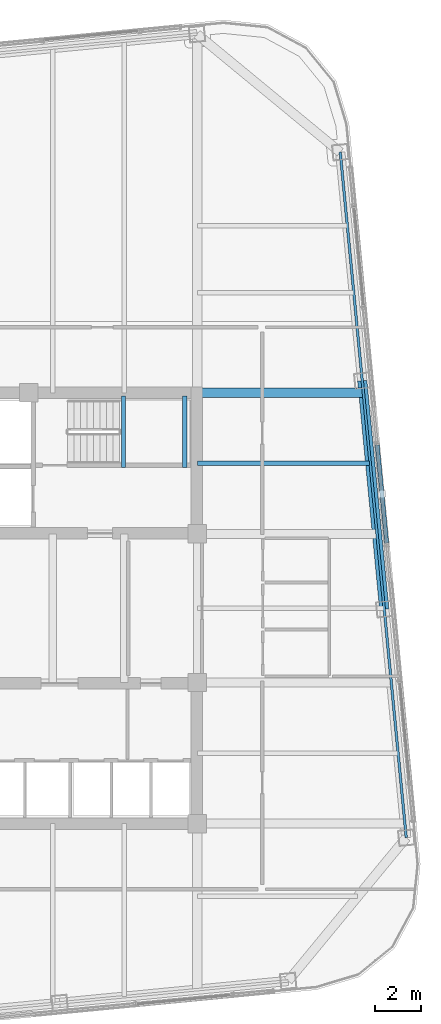
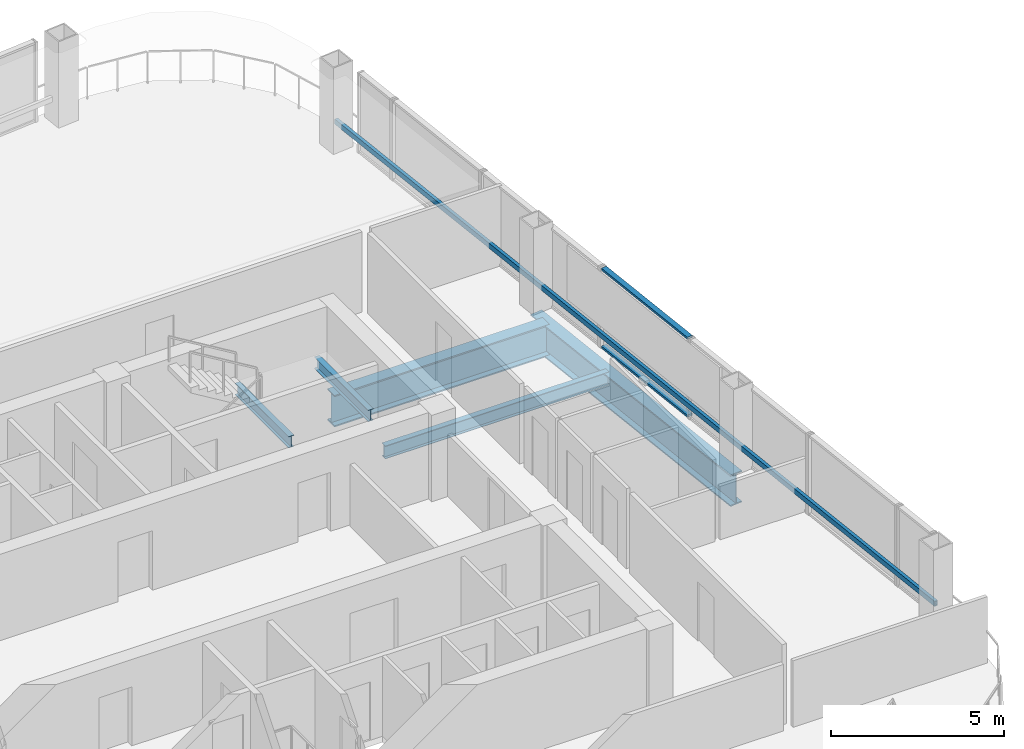
# One storey, part 15 of 28: 5 beams, 3 members, 1 element without a shape of its own.
"""IFC4 building model written with IfcOpenShell, lengths in metres."""

from ifc_helpers import new_model, si_unit, direction, frame, origin, origin_2d, place, context, subcontext, project, spatial, hollow_rectangle, i_section, extrude, material, layer, layer_set, material_profile, profile_set, type_object, element, aggregate, save


model = new_model("IFC4")

# Units and contexts
model_context = context("Model", 3, precision=1e-05, world=origin(), true_north=direction((0.0, 1.0)))
body_context = subcontext(model_context, "Body", "Model", "MODEL_VIEW")
ifc_project = project(units=[si_unit("LENGTHUNIT", "METRE"), si_unit("AREAUNIT", "SQUARE_METRE"), si_unit("VOLUMEUNIT", "CUBIC_METRE"), si_unit("PLANEANGLEUNIT", "RADIAN"), si_unit("MASSUNIT", "GRAM", prefix="KILO")], contexts=[model_context])

# Site, building, storey
site_placement = place(None, origin())
site = spatial("IfcSite", under=ifc_project, at=site_placement, CompositionType="ELEMENT")
building_placement = place(site_placement, origin())
building = spatial("IfcBuilding", under=site, at=building_placement, Name="Qhalaya Broadcast Tower", CompositionType="ELEMENT")
storey_placement = place(building_placement, frame((0.0, 0.0, 159.199951171875)))
storey = spatial("IfcBuildingStorey", under=building, at=storey_placement, Name="L46", CompositionType="ELEMENT", Elevation=159.199951171875)

# Beam
ifc_material_1 = material(Name="Structural Steel ASTM A992 Grade 50", Category="steel")
ifc_material_profile_1 = material_profile(ifc_material_1, i_section(OverallWidth=0.19189453125, OverallDepth=0.462890625, WebThickness=0.010498046875, FlangeThickness=0.017578125, at=origin_2d()), Name="W18X60")
ifc_profile_set_1 = profile_set([ifc_material_profile_1], Name="Structural Steel ASTM A992 Grade 50")
beam_type_1 = type_object("IfcBeamType", Name="Composite Floor Joist J03", PredefinedType="JOIST", material=ifc_profile_set_1)
beam_1_placement = place(storey_placement, frame((9.375, 6.89990234375, -0.451416015625), z_axis=(1.0, 0.0, 0.0), x_axis=(0.0, 1.0, 0.0)))
element("IfcBeam", 1, at=beam_1_placement, inside=storey, type_object=beam_type_1, Name="L46 J03 L46-JWE5E-1", PredefinedType="JOIST", context=body_context, shape_type="SweptSolid", body=[
    extrude(i_section(OverallWidth=0.19189453125, OverallDepth=0.462890625, WebThickness=0.010498046875, FlangeThickness=0.017578125, at=origin_2d()), origin(), (0.0, 0.0, 1.0), 7.48681640625),
])

# Member
ifc_material_2 = material(Name="Fired Architectural Terracotta", Category="masonry")
ifc_material_profile_2 = material_profile(ifc_material_2, hollow_rectangle(XDim=0.110107421875, YDim=0.179931640625, WallThickness=0.01806640625, at=origin_2d()), Name="TB-BAG 110x180x18")
ifc_profile_set_2 = profile_set([ifc_material_profile_2], Name="Fired Architectural Terracotta")
member_type_1 = type_object("IfcMemberType", Name="Fired Terracotta Facade Baguette Member TB1", PredefinedType="USERDEFINED", material=ifc_profile_set_2)
member_1_placement = place(storey_placement, frame((18.44775390625, -9.362060546875, 0.84912109375), z_axis=(-0.095843252659, 0.995396439073, 0.0), x_axis=(-0.995396439073, -0.095843252659, 0.0)))
element("IfcMember", 2, at=member_1_placement, inside=storey, type_object=member_type_1, Name="L46 Terracotta Baguette Feature Rail E", ObjectType="BAGUETTE", PredefinedType="USERDEFINED", context=body_context, shape_type="SweptSolid", body=[
    extrude(hollow_rectangle(XDim=0.110107421875, YDim=0.179931640625, WallThickness=0.01806640625, at=origin_2d()), origin(), (0.0, 0.0, 1.0), 29.900146484375),
])

# Beams
ifc_material_profile_3 = material_profile(ifc_material_1, i_section(OverallWidth=0.404052734375, OverallDepth=1.117919921875, WebThickness=0.026123046875, FlangeThickness=0.044921875, at=origin_2d()), Name="W44X335")
ifc_profile_set_3 = profile_set([ifc_material_profile_3], Name="Structural Steel ASTM A992 Grade 50")
beam_type_2 = type_object("IfcBeamType", Name="Podium Long-Span Primary Girder PG1", PredefinedType="USERDEFINED", material=ifc_profile_set_3)
beam_2_placement = place(storey_placement, frame((17.49267578125, 0.558837890625, -0.779052734375), z_axis=(-0.095852900965, 0.995395510024, 0.0), x_axis=(-0.995395510024, -0.095852900965, 0.0)))
element("IfcBeam", 3, at=beam_2_placement, inside=storey, type_object=beam_type_2, Name="L46 PG1 L46-SPR-06", ObjectType="GIRDER", PredefinedType="USERDEFINED", context=body_context, shape_type="SweptSolid", body=[
    extrude(i_section(OverallWidth=0.404052734375, OverallDepth=1.117919921875, WebThickness=0.026123046875, FlangeThickness=0.044921875, at=origin_2d()), origin(), (0.0, 0.0, 1.0), 9.966552734375),
])
beam_3_placement = place(storey_placement, frame((9.375, 9.949951171875, -0.779052734375), z_axis=(1.0, 0.0, 0.0), x_axis=(0.0, 1.0, 0.0)))
element("IfcBeam", 4, at=beam_3_placement, inside=storey, type_object=beam_type_2, Name="L46 PG1 L46-PGYE4-1", ObjectType="GIRDER", PredefinedType="USERDEFINED", context=body_context, shape_type="SweptSolid", body=[
    extrude(i_section(OverallWidth=0.404052734375, OverallDepth=1.117919921875, WebThickness=0.026123046875, FlangeThickness=0.044921875, at=origin_2d()), origin(), (0.0, 0.0, 1.0), 7.193115234375),
])

# Curtain wall, members
ifc_material_3 = material(Name="Solar-Control Low-E Triple Glazing", Category="glass")
ifc_layer = layer(ifc_material_3, 0.219970703125, Name="Solar-Control Low-E Triple Glazing")
ifc_layer_set = layer_set([ifc_layer], Name="Solar-Control Low-E Triple Glazing")
curtain_wall_type = type_object("IfcCurtainWallType", Name="Even-Block 4-Storey Double-Module Curtain Wall CW-03", PredefinedType="NOTDEFINED", material=ifc_layer_set)
curtain_wall_placement = place(storey_placement, origin())
curtain_wall = element("IfcCurtainWall", 5, at=curtain_wall_placement, inside=storey, type_object=curtain_wall_type, Name="L46 Unitised Curtain Wall L46-CW-E4", PredefinedType="NOTDEFINED")
ifc_material_4 = material(Name="Anodised Aluminium 6063-T6", Category="aluminium")
ifc_material_profile_4 = material_profile(ifc_material_4, hollow_rectangle(XDim=0.074951171875, YDim=0.179931640625, WallThickness=0.00390625, at=origin_2d()), Name="ALU-TRN 75x180x4")
ifc_profile_set_4 = profile_set([ifc_material_profile_4], Name="Anodised Aluminium 6063-T6")
member_type_2 = type_object("IfcMemberType", Name="Unitised Curtain-Wall Transom T01", PredefinedType="USERDEFINED", material=ifc_profile_set_4)
member_2_placement = place(storey_placement, frame((17.5986328125, 3.421630859375, 0.03759765625), z_axis=(-0.095827409571, 0.995397964422, 0.0), x_axis=(0.0, 0.0, 1.0)))
member_2 = element("IfcMember", 6, at=member_2_placement, type_object=member_type_2, Name="CW-03 transom 1.1", ObjectType="TRANSOM", PredefinedType="USERDEFINED", context=body_context, shape_type="SweptSolid", body=[
    extrude(hollow_rectangle(XDim=0.074951171875, YDim=0.179931640625, WallThickness=0.00390625, at=origin_2d()), origin(), (0.0, 0.0, 1.0), 4.287841796875),
])
member_3_placement = place(storey_placement, frame((17.5986328125, 3.421630859375, 2.79248046875), z_axis=(-0.095827409571, 0.995397964422, 0.0), x_axis=(0.0, 0.0, 1.0)))
member_3 = element("IfcMember", 7, at=member_3_placement, type_object=member_type_2, Name="CW-03 transom 1.2", ObjectType="TRANSOM", PredefinedType="USERDEFINED", context=body_context, shape_type="SweptSolid", body=[
    extrude(hollow_rectangle(XDim=0.074951171875, YDim=0.179931640625, WallThickness=0.00390625, at=origin_2d()), origin(), (0.0, 0.0, 1.0), 4.287841796875),
])
aggregate(curtain_wall, [member_2, member_3])

# Beams
ifc_material_profile_5 = material_profile(ifc_material_1, i_section(OverallWidth=0.177978515625, OverallDepth=0.406005859375, WebThickness=0.0078125, FlangeThickness=0.0126953125, at=origin_2d()), Name="W16X40")
ifc_profile_set_5 = profile_set([ifc_material_profile_5], Name="Structural Steel ASTM A992 Grade 50")
beam_type_3 = type_object("IfcBeamType", Name="Upper Perimeter Spandrel Beam SP2", PredefinedType="SPANDREL", material=ifc_profile_set_5)
for number, where, z_axis, x_axis, name in (
    (8, (6.175048828125, 6.699951171875, 1.1220703125), (0.0, 1.0, 0.0), (-1.0, 0.0, 0.0), "L46 ST-1 Half-Landing Bearer Beam 1"),
    (9, (8.830078125, 6.699951171875, 1.1220703125), (0.0, 1.0, 0.0), (-1.0, 0.0, 0.0), "L46 ST-1 Half-Landing Bearer Beam 2"),
):
    element("IfcBeam", number, at=place(storey_placement, frame(where, z_axis=z_axis, x_axis=x_axis)), inside=storey, type_object=beam_type_3, Name=name, PredefinedType="SPANDREL", context=body_context, shape_type="SweptSolid", body=[
        extrude(i_section(OverallWidth=0.177978515625, OverallDepth=0.406005859375, WebThickness=0.0078125, FlangeThickness=0.0126953125, at=origin_2d()), origin(), (0.0, 0.0, 1.0), 3.1201171875),
    ])

save(model, "model.ifc")
